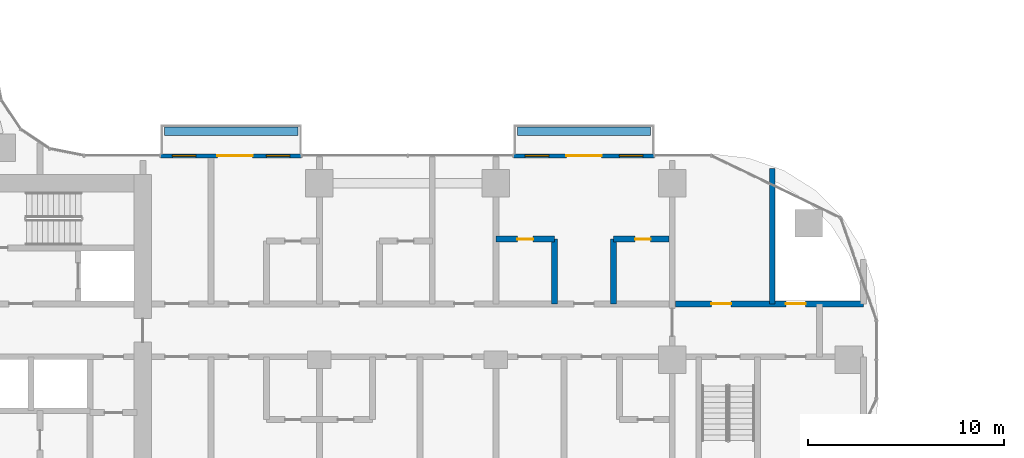
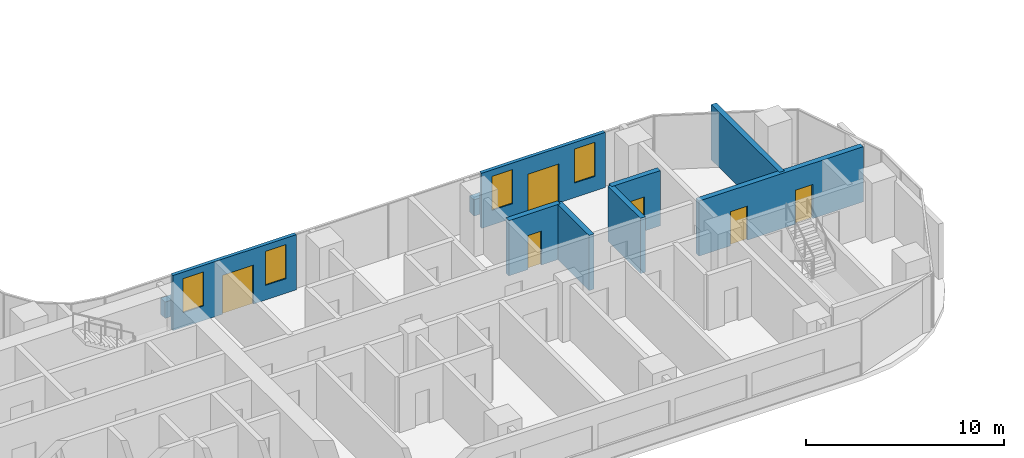
# One storey, part 17 of 31: 10 walls, 6 doors, 4 windows, 10 openings.
"""IFC4 building model written with IfcOpenShell, lengths in metres."""

from ifc_helpers import new_model, si_unit, direction, frame, frame_2d, origin, origin_2d, place, context, subcontext, project, spatial, rectangle, extrude, material, layer, layer_set, type_object, element, fill, save


model = new_model("IFC4")

# Units and contexts
model_context = context("Model", 3, precision=1e-05, world=origin(), true_north=direction((0.0, 1.0)))
body_context = subcontext(model_context, "Body", "Model", "MODEL_VIEW")
ifc_project = project(units=[si_unit("LENGTHUNIT", "METRE"), si_unit("AREAUNIT", "SQUARE_METRE"), si_unit("VOLUMEUNIT", "CUBIC_METRE"), si_unit("PLANEANGLEUNIT", "RADIAN"), si_unit("MASSUNIT", "GRAM", prefix="KILO")], contexts=[model_context])

# Site, building, storey
site_placement = place(None, origin())
site = spatial("IfcSite", under=ifc_project, at=site_placement, CompositionType="ELEMENT")
building_placement = place(site_placement, origin())
building = spatial("IfcBuilding", under=site, at=building_placement, Name="Ogive Portal Towers", CompositionType="ELEMENT")
storey_placement = place(building_placement, frame((0.0, 0.0, 74.199951171875)))
storey = spatial("IfcBuildingStorey", under=building, at=storey_placement, Name="L17", CompositionType="ELEMENT", Elevation=74.199951171875)

# Wall, openings, door, windows
ifc_material_1 = material(Name="Limestone cladding on lightweight block wall", Category="masonry")
ifc_layer_1 = layer(ifc_material_1, 0.199951171875)
ifc_layer_set_1 = layer_set([ifc_layer_1], Name="BALCONY BAY WALL 200")
wall_type_1 = type_object("IfcWallType", Name="BALCONY BAY WALL 200", PredefinedType="SOLIDWALL", material=ifc_layer_set_1)
wall_1_placement = place(storey_placement, frame((77.39990234375, 40.89990234375, 0.0), z_axis=(0.0, 0.0, 1.0), x_axis=(1.0, 0.0, 0.0)))
wall_1 = element("IfcWall", 1, at=wall_1_placement, inside=storey, type_object=wall_type_1, Name="A:L17:f12:bay0", PredefinedType="SOLIDWALL", context=body_context, shape_type="SweptSolid", body=[
    extrude(rectangle(XDim=7.2001953125, YDim=0.199951171875, at=frame_2d((3.60009765625, 0.0))), origin(), (0.0, 0.0, 1.0), 3.400146484375),
])
opening_1_placement = place(wall_1_placement, frame((2.699951171875, 0.0, 0.0)))
opening_1 = element("IfcOpeningElement", 2, at=opening_1_placement, cuts=wall_1, Name="Opening DX027", PredefinedType="OPENING", context=body_context, shape_type="SweptSolid", body=[
    extrude(rectangle(XDim=1.800048828125, YDim=2.39990234375, at=frame_2d((0.89990234375, 1.199951171875))), frame((0.0, 0.10986328125, 0.0), z_axis=(0.0, -1.0, 0.0), x_axis=(1.0, 0.0, 0.0)), (0.0, 0.0, 1.0), 0.219970703125),
])
opening_2_placement = place(wall_1_placement, frame((5.39990234375, 0.0, 0.89990234375)))
opening_2 = element("IfcOpeningElement", 3, at=opening_2_placement, cuts=wall_1, Name="Opening WN2", PredefinedType="OPENING", context=body_context, shape_type="SweptSolid", body=[
    extrude(rectangle(XDim=1.199951171875, YDim=2.10009765625, at=frame_2d((0.60009765625, 1.050048828125))), frame((0.0, 0.10986328125, 0.0), z_axis=(0.0, -1.0, 0.0), x_axis=(1.0, 0.0, 0.0)), (0.0, 0.0, 1.0), 0.219970703125),
])
opening_3_placement = place(wall_1_placement, frame((0.60009765625, 0.0, 0.89990234375)))
opening_3 = element("IfcOpeningElement", 4, at=opening_3_placement, cuts=wall_1, Name="Opening WN2", PredefinedType="OPENING", context=body_context, shape_type="SweptSolid", body=[
    extrude(rectangle(XDim=1.199951171875, YDim=2.10009765625, at=frame_2d((0.60009765625, 1.050048828125))), frame((0.0, 0.10986328125, 0.0), z_axis=(0.0, -1.0, 0.0), x_axis=(1.0, 0.0, 0.0)), (0.0, 0.0, 1.0), 0.219970703125),
])
ifc_material_2 = material(Name="Aluminium 6063 anodised", Category="aluminium")
door_type_1 = type_object("IfcDoorType", Name="BALCONY DOOR 1800x2400", OperationType="DOUBLE_DOOR_SINGLE_SWING", PredefinedType="DOOR", material=ifc_material_2)
door_1_placement = place(opening_1_placement, origin())
door_1 = element("IfcDoor", 5, at=door_1_placement, inside=storey, type_object=door_type_1, Name="A:L17:f12:bay0/o0", OperationType="SINGLE_SWING_LEFT", OverallHeight=2.39990234375, OverallWidth=1.800048828125, PredefinedType="DOOR", context=body_context, shape_type="SweptSolid", body=[
    extrude(rectangle(XDim=1.800048828125, YDim=2.39990234375, at=frame_2d((0.89990234375, 1.199951171875))), frame((0.0, 0.02490234375, 0.0), z_axis=(0.0, -1.0, 0.0), x_axis=(1.0, 0.0, 0.0)), (0.0, 0.0, 1.0), 0.050048828125),
])
fill(opening_1, door_1)
ifc_material_3 = material(Name="Glass, clear low-iron insulated glazing", Category="glass")
window_type = type_object("IfcWindowType", Name="WINDOW BALCONY BAY 1200x2100", PartitioningType="SINGLE_PANEL", PredefinedType="WINDOW", material=ifc_material_3)
window_1_placement = place(opening_2_placement, origin())
window_1 = element("IfcWindow", 6, at=window_1_placement, inside=storey, type_object=window_type, Name="A:L17:f12:bay0/o1", OverallHeight=2.10009765625, OverallWidth=1.199951171875, PartitioningType="SINGLE_PANEL", PredefinedType="WINDOW", context=body_context, shape_type="SweptSolid", body=[
    extrude(rectangle(XDim=1.199951171875, YDim=2.10009765625, at=frame_2d((0.60009765625, 1.050048828125))), frame((0.0, 0.030029296875, 0.0), z_axis=(0.0, -1.0, 0.0), x_axis=(1.0, 0.0, 0.0)), (0.0, 0.0, 1.0), 0.06005859375),
])
fill(opening_2, window_1)
window_2_placement = place(opening_3_placement, origin())
window_2 = element("IfcWindow", 7, at=window_2_placement, inside=storey, type_object=window_type, Name="A:L17:f12:bay0/o2", OverallHeight=2.10009765625, OverallWidth=1.199951171875, PartitioningType="SINGLE_PANEL", PredefinedType="WINDOW", context=body_context, shape_type="SweptSolid", body=[
    extrude(rectangle(XDim=1.199951171875, YDim=2.10009765625, at=frame_2d((0.60009765625, 1.050048828125))), frame((0.0, 0.030029296875, 0.0), z_axis=(0.0, -1.0, 0.0), x_axis=(1.0, 0.0, 0.0)), (0.0, 0.0, 1.0), 0.06005859375),
])
fill(opening_3, window_2)

wall_2_placement = place(storey_placement, frame((59.39990234375, 40.89990234375, 0.0), z_axis=(0.0, 0.0, 1.0), x_axis=(1.0, 0.0, 0.0)))
wall_2 = element("IfcWall", 8, at=wall_2_placement, inside=storey, type_object=wall_type_1, Name="A:L17:f12:bay1", PredefinedType="SOLIDWALL", context=body_context, shape_type="SweptSolid", body=[
    extrude(rectangle(XDim=7.2001953125, YDim=0.199951171875, at=frame_2d((3.60009765625, 0.0))), origin(), (0.0, 0.0, 1.0), 3.400146484375),
])
opening_4_placement = place(wall_2_placement, frame((2.89990234375, 0.0, 0.0)))
opening_4 = element("IfcOpeningElement", 9, at=opening_4_placement, cuts=wall_2, Name="Opening DX028", PredefinedType="OPENING", context=body_context, shape_type="SweptSolid", body=[
    extrude(rectangle(XDim=1.800048828125, YDim=2.39990234375, at=frame_2d((0.89990234375, 1.199951171875))), frame((0.0, 0.10986328125, 0.0), z_axis=(0.0, -1.0, 0.0), x_axis=(1.0, 0.0, 0.0)), (0.0, 0.0, 1.0), 0.219970703125),
])
opening_5_placement = place(wall_2_placement, frame((5.39990234375, 0.0, 0.89990234375)))
opening_5 = element("IfcOpeningElement", 10, at=opening_5_placement, cuts=wall_2, Name="Opening WN2", PredefinedType="OPENING", context=body_context, shape_type="SweptSolid", body=[
    extrude(rectangle(XDim=1.199951171875, YDim=2.10009765625, at=frame_2d((0.60009765625, 1.050048828125))), frame((0.0, 0.10986328125, 0.0), z_axis=(0.0, -1.0, 0.0), x_axis=(1.0, 0.0, 0.0)), (0.0, 0.0, 1.0), 0.219970703125),
])
opening_6_placement = place(wall_2_placement, frame((0.60009765625, 0.0, 0.89990234375)))
opening_6 = element("IfcOpeningElement", 11, at=opening_6_placement, cuts=wall_2, Name="Opening WN2", PredefinedType="OPENING", context=body_context, shape_type="SweptSolid", body=[
    extrude(rectangle(XDim=1.199951171875, YDim=2.10009765625, at=frame_2d((0.60009765625, 1.050048828125))), frame((0.0, 0.10986328125, 0.0), z_axis=(0.0, -1.0, 0.0), x_axis=(1.0, 0.0, 0.0)), (0.0, 0.0, 1.0), 0.219970703125),
])
door_2_placement = place(opening_4_placement, origin())
door_2 = element("IfcDoor", 12, at=door_2_placement, inside=storey, type_object=door_type_1, Name="A:L17:f12:bay1/o0", OperationType="SINGLE_SWING_LEFT", OverallHeight=2.39990234375, OverallWidth=1.800048828125, PredefinedType="DOOR", context=body_context, shape_type="SweptSolid", body=[
    extrude(rectangle(XDim=1.800048828125, YDim=2.39990234375, at=frame_2d((0.89990234375, 1.199951171875))), frame((0.0, 0.02490234375, 0.0), z_axis=(0.0, -1.0, 0.0), x_axis=(1.0, 0.0, 0.0)), (0.0, 0.0, 1.0), 0.050048828125),
])
fill(opening_4, door_2)
window_3_placement = place(opening_5_placement, origin())
window_3 = element("IfcWindow", 13, at=window_3_placement, inside=storey, type_object=window_type, Name="A:L17:f12:bay1/o1", OverallHeight=2.10009765625, OverallWidth=1.199951171875, PartitioningType="SINGLE_PANEL", PredefinedType="WINDOW", context=body_context, shape_type="SweptSolid", body=[
    extrude(rectangle(XDim=1.199951171875, YDim=2.10009765625, at=frame_2d((0.60009765625, 1.050048828125))), frame((0.0, 0.030029296875, 0.0), z_axis=(0.0, -1.0, 0.0), x_axis=(1.0, 0.0, 0.0)), (0.0, 0.0, 1.0), 0.06005859375),
])
fill(opening_5, window_3)
window_4_placement = place(opening_6_placement, origin())
window_4 = element("IfcWindow", 14, at=window_4_placement, inside=storey, type_object=window_type, Name="A:L17:f12:bay1/o2", OverallHeight=2.10009765625, OverallWidth=1.199951171875, PartitioningType="SINGLE_PANEL", PredefinedType="WINDOW", context=body_context, shape_type="SweptSolid", body=[
    extrude(rectangle(XDim=1.199951171875, YDim=2.10009765625, at=frame_2d((0.60009765625, 1.050048828125))), frame((0.0, 0.030029296875, 0.0), z_axis=(0.0, -1.0, 0.0), x_axis=(1.0, 0.0, 0.0)), (0.0, 0.0, 1.0), 0.06005859375),
])
fill(opening_6, window_4)

# Walls
ifc_material_4 = material(Name="Concrete C40/50", Category="concrete")
ifc_layer_2 = layer(ifc_material_4, 0.449951171875)
ifc_layer_set_2 = layer_set([ifc_layer_2], Name="PLANTER WALL 450")
wall_type_2 = type_object("IfcWallType", Name="PLANTER WALL 450", PredefinedType="SOLIDWALL", material=ifc_layer_set_2)
for number, where, z_axis, x_axis, name in (
    (15, (63.0, 42.155029296875, 0.0), (0.0, 0.0, 1.0), (1.0, 0.0, 0.0), "Planter T1"),
    (16, (81.0, 42.155029296875, 0.0), (0.0, 0.0, 1.0), (1.0, 0.0, 0.0), "Planter T3"),
):
    element("IfcWall", number, at=place(storey_placement, frame(where, z_axis=z_axis, x_axis=x_axis)), inside=storey, type_object=wall_type_2, Name=name, PredefinedType="SOLIDWALL", context=body_context, shape_type="SweptSolid", body=[
        extrude(rectangle(XDim=6.800048828125, YDim=0.449951171875, at=origin_2d()), origin(), (0.0, 0.0, 1.0), 1.0),
    ])

# Wall, openings, doors
ifc_material_5 = material(Name="Gypsum board partition on steel studs", Category="steel")
ifc_layer_3 = layer(ifc_material_5, 0.300048828125)
ifc_layer_set_3 = layer_set([ifc_layer_3], Name="WT-PART-300-EI 120")
wall_type_3 = type_object("IfcWallType", Name="WT-PART-300-EI 120", PredefinedType="PARTITIONING", material=ifc_layer_set_3)
wall_3_placement = place(storey_placement, frame((85.669921875, 33.35009765625, 0.0), z_axis=(0.0, 0.0, 1.0), x_axis=(1.0, 0.0, 0.0)))
wall_3 = element("IfcWall", 17, at=wall_3_placement, inside=storey, type_object=wall_type_3, Name="Wall L17:w007", PredefinedType="PARTITIONING", context=body_context, shape_type="SweptSolid", body=[
    extrude(rectangle(XDim=9.580078125, YDim=0.300048828125, at=frame_2d((4.7900390625, 0.0))), origin(), (0.0, 0.0, 1.0), 3.400146484375),
])
opening_7_placement = place(wall_3_placement, frame((1.830078125, 0.0, 0.0)))
opening_7 = element("IfcOpeningElement", 18, at=opening_7_placement, cuts=wall_3, Name="Opening D05-062", PredefinedType="OPENING", context=body_context, shape_type="SweptSolid", body=[
    extrude(rectangle(XDim=1.0, YDim=2.10009765625, at=frame_2d((0.5, 1.050048828125))), frame((0.0, 0.16015625, 0.0), z_axis=(0.0, -1.0, 0.0), x_axis=(1.0, 0.0, 0.0)), (0.0, 0.0, 1.0), 0.320068359375),
])
opening_8_placement = place(wall_3_placement, frame((5.6298828125, 0.0, 0.0)))
opening_8 = element("IfcOpeningElement", 19, at=opening_8_placement, cuts=wall_3, Name="Opening D05-063", PredefinedType="OPENING", context=body_context, shape_type="SweptSolid", body=[
    extrude(rectangle(XDim=1.0, YDim=2.10009765625, at=frame_2d((0.5, 1.050048828125))), frame((0.0, 0.16015625, 0.0), z_axis=(0.0, -1.0, 0.0), x_axis=(1.0, 0.0, 0.0)), (0.0, 0.0, 1.0), 0.320068359375),
])
ifc_material_6 = material(Name="Steel fire door", Category="steel")
door_type_2 = type_object("IfcDoorType", Name="DT-SERVICE-1000x2100-FD90S", OperationType="SINGLE_SWING_LEFT", PredefinedType="DOOR", material=ifc_material_6)
door_3_placement = place(opening_7_placement, origin())
door_3 = element("IfcDoor", 20, at=door_3_placement, inside=storey, type_object=door_type_2, Name="Door D05-062", OperationType="SINGLE_SWING_LEFT", OverallHeight=2.10009765625, OverallWidth=1.0, PredefinedType="DOOR", context=body_context, shape_type="SweptSolid", body=[
    extrude(rectangle(XDim=1.0, YDim=2.10009765625, at=frame_2d((0.5, 1.050048828125))), frame((0.0, 0.02490234375, 0.0), z_axis=(0.0, -1.0, 0.0), x_axis=(1.0, 0.0, 0.0)), (0.0, 0.0, 1.0), 0.050048828125),
])
fill(opening_7, door_3)
door_4_placement = place(opening_8_placement, origin())
door_4 = element("IfcDoor", 21, at=door_4_placement, inside=storey, type_object=door_type_2, Name="Riser access door D05-063", OperationType="SINGLE_SWING_RIGHT", OverallHeight=2.10009765625, OverallWidth=1.0, PredefinedType="DOOR", context=body_context, shape_type="SweptSolid", body=[
    extrude(rectangle(XDim=1.0, YDim=2.10009765625, at=frame_2d((0.5, 1.050048828125))), frame((0.0, 0.02490234375, 0.0), z_axis=(0.0, -1.0, 0.0), x_axis=(1.0, 0.0, 0.0)), (0.0, 0.0, 1.0), 0.050048828125),
])
fill(opening_8, door_4)

# Wall, opening, door
ifc_layer_4 = layer(ifc_material_5, 0.300048828125)
ifc_layer_set_4 = layer_set([ifc_layer_4], Name="WT-PART-300-EI 60")
wall_type_4 = type_object("IfcWallType", Name="WT-PART-300-EI 60", PredefinedType="PARTITIONING", material=ifc_layer_set_4)
wall_4_placement = place(storey_placement, frame((76.5, 36.64990234375, 0.0), z_axis=(0.0, 0.0, 1.0), x_axis=(1.0, 0.0, 0.0)))
wall_4 = element("IfcWall", 22, at=wall_4_placement, inside=storey, type_object=wall_type_4, Name="Wall L17:w010", PredefinedType="PARTITIONING", context=body_context, shape_type="SweptSolid", body=[
    extrude(rectangle(XDim=3.0, YDim=0.300048828125, at=frame_2d((1.5, 0.0))), origin(), (0.0, 0.0, 1.0), 3.400146484375),
])
opening_9_placement = place(wall_4_placement, frame((1.10009765625, 0.0, 0.0)))
opening_9 = element("IfcOpeningElement", 23, at=opening_9_placement, cuts=wall_4, Name="Opening D05-038", PredefinedType="OPENING", context=body_context, shape_type="SweptSolid", body=[
    extrude(rectangle(XDim=0.800048828125, YDim=2.10009765625, at=frame_2d((0.39990234375, 1.050048828125))), frame((0.0, 0.16015625, 0.0), z_axis=(0.0, -1.0, 0.0), x_axis=(1.0, 0.0, 0.0)), (0.0, 0.0, 1.0), 0.320068359375),
])
door_type_3 = type_object("IfcDoorType", Name="DT-BATH-800x2100-FD60S", OperationType="SINGLE_SWING_LEFT", PredefinedType="DOOR", material=ifc_material_6)
door_5_placement = place(opening_9_placement, origin())
door_5 = element("IfcDoor", 24, at=door_5_placement, inside=storey, type_object=door_type_3, Name="Door D05-038", OperationType="SINGLE_SWING_LEFT", OverallHeight=2.10009765625, OverallWidth=0.800048828125, PredefinedType="DOOR", context=body_context, shape_type="SweptSolid", body=[
    extrude(rectangle(XDim=0.800048828125, YDim=2.10009765625, at=frame_2d((0.39990234375, 1.050048828125))), frame((0.0, 0.02490234375, 0.0), z_axis=(0.0, -1.0, 0.0), x_axis=(1.0, 0.0, 0.0)), (0.0, 0.0, 1.0), 0.050048828125),
])
fill(opening_9, door_5)

wall_5_placement = place(storey_placement, frame((82.5, 36.64990234375, 0.0), z_axis=(0.0, 0.0, 1.0), x_axis=(1.0, 0.0, 0.0)))
wall_5 = element("IfcWall", 25, at=wall_5_placement, inside=storey, type_object=wall_type_4, Name="Wall L17:w011", PredefinedType="PARTITIONING", context=body_context, shape_type="SweptSolid", body=[
    extrude(rectangle(XDim=2.830078125, YDim=0.300048828125, at=frame_2d((1.4150390625, 0.0))), origin(), (0.0, 0.0, 1.0), 3.400146484375),
])
opening_10_placement = place(wall_5_placement, frame((1.10009765625, 0.0, 0.0)))
opening_10 = element("IfcOpeningElement", 26, at=opening_10_placement, cuts=wall_5, Name="Opening D05-039", PredefinedType="OPENING", context=body_context, shape_type="SweptSolid", body=[
    extrude(rectangle(XDim=0.800048828125, YDim=2.10009765625, at=frame_2d((0.39990234375, 1.050048828125))), frame((0.0, 0.16015625, 0.0), z_axis=(0.0, -1.0, 0.0), x_axis=(1.0, 0.0, 0.0)), (0.0, 0.0, 1.0), 0.320068359375),
])
door_6_placement = place(opening_10_placement, origin())
door_6 = element("IfcDoor", 27, at=door_6_placement, inside=storey, type_object=door_type_3, Name="Door D05-039", OperationType="SINGLE_SWING_RIGHT", OverallHeight=2.10009765625, OverallWidth=0.800048828125, PredefinedType="DOOR", context=body_context, shape_type="SweptSolid", body=[
    extrude(rectangle(XDim=0.800048828125, YDim=2.10009765625, at=frame_2d((0.39990234375, 1.050048828125))), frame((0.0, 0.02490234375, 0.0), z_axis=(0.0, -1.0, 0.0), x_axis=(1.0, 0.0, 0.0)), (0.0, 0.0, 1.0), 0.050048828125),
])
fill(opening_10, door_6)

# Walls
for number, where, z_axis, x_axis, name in (
    (28, (79.5, 33.35009765625, 0.0), (0.0, 0.0, 1.0), (0.0, 1.0, 0.0), "Wall L17:w057"),
    (29, (82.5, 33.35009765625, 0.0), (0.0, 0.0, 1.0), (0.0, 1.0, 0.0), "Wall L17:w059"),
):
    element("IfcWall", number, at=place(storey_placement, frame(where, z_axis=z_axis, x_axis=x_axis)), inside=storey, type_object=wall_type_4, Name=name, PredefinedType="PARTITIONING", context=body_context, shape_type="SweptSolid", body=[
        extrude(rectangle(XDim=3.2998046875, YDim=0.300048828125, at=frame_2d((1.64990234375, 0.0))), origin(), (0.0, 0.0, 1.0), 3.400146484375),
    ])
wall_6_placement = place(storey_placement, frame((90.60009765625, 33.35009765625, 0.0), z_axis=(0.0, 0.0, 1.0), x_axis=(0.0, 1.0, 0.0)))
element("IfcWall", 30, at=wall_6_placement, inside=storey, type_object=wall_type_4, Name="Wall L17:w063", PredefinedType="PARTITIONING", context=body_context, shape_type="SweptSolid", body=[
    extrude(rectangle(XDim=6.89794921875, YDim=0.300048828125, at=frame_2d((3.448974609375, 0.0))), origin(), (0.0, 0.0, 1.0), 3.400146484375),
])

save(model, "model.ifc")
